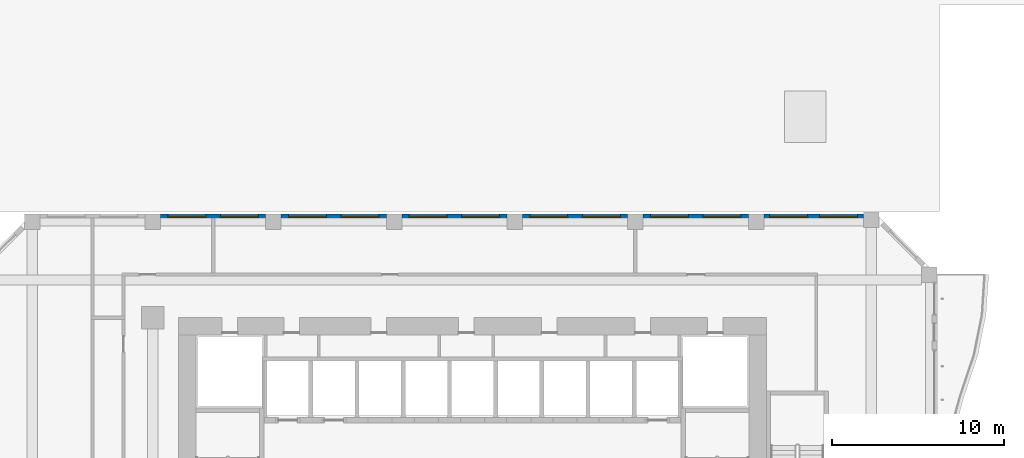
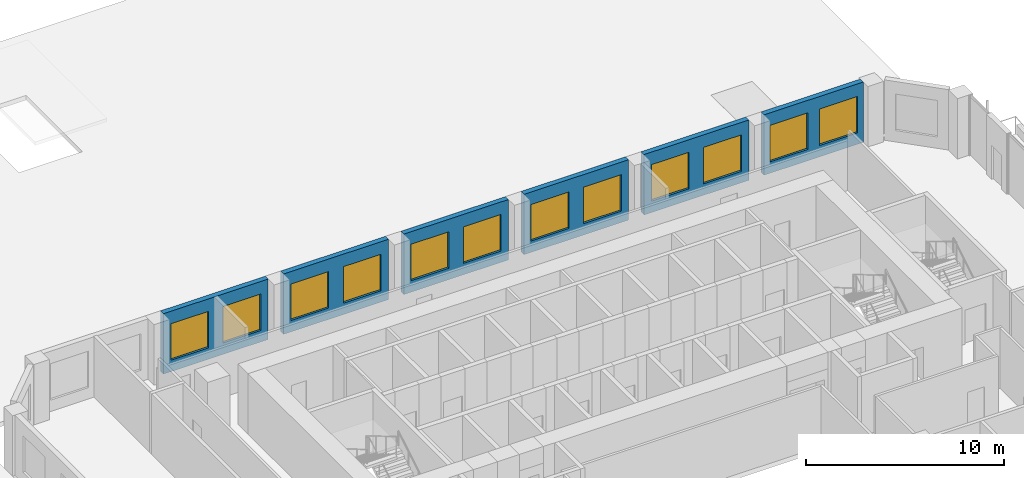
# One storey, part 20 of 29: 12 windows, 6 walls, 12 openings.
"""IFC4 building model written with IfcOpenShell, lengths in metres."""

from ifc_helpers import new_model, si_unit, direction, frame, frame_2d, origin, place, context, subcontext, project, spatial, rectangle, extrude, source, transform, mapped, material, layer, layer_set, type_object, element, fill, save


model = new_model("IFC4")

# Units and contexts
model_context = context("Model", 3, precision=1e-05, world=origin(), true_north=direction((0.0, 1.0)))
body_context = subcontext(model_context, "Body", "Model", "MODEL_VIEW")
ifc_project = project(units=[si_unit("LENGTHUNIT", "METRE"), si_unit("AREAUNIT", "SQUARE_METRE"), si_unit("VOLUMEUNIT", "CUBIC_METRE"), si_unit("PLANEANGLEUNIT", "RADIAN"), si_unit("MASSUNIT", "GRAM", prefix="KILO")], contexts=[model_context])

# Site, building, storey
site_placement = place(None, origin())
site = spatial("IfcSite", under=ifc_project, at=site_placement, CompositionType="ELEMENT")
building_placement = place(site_placement, origin())
building = spatial("IfcBuilding", under=site, at=building_placement, Name="Kilnfold Tower and Market Hall", CompositionType="ELEMENT")
storey_placement = place(building_placement, frame((0.0, 0.0, 27.0)))
storey = spatial("IfcBuildingStorey", under=building, at=storey_placement, Name="L05", CompositionType="ELEMENT", Elevation=27.0)

# Wall, openings, windows
ifc_material_1 = material(Name="Precast concrete C50/60", Category="concrete")
ifc_layer = layer(ifc_material_1, 0.300048828125)
ifc_layer_set = layer_set([ifc_layer], Name="Precast concrete C50/60")
wall_type = type_object("IfcWallType", Name="PRECAST WALL 300", PredefinedType="SOLIDWALL", material=ifc_layer_set)
shared_shape_1 = source(origin(), body_context, "Body", "SweptSolid", [
    extrude(rectangle(XDim=5.78173828125, YDim=0.300048828125, at=frame_2d((2.890869140625, 0.0))), origin(), (0.0, 0.0, 1.0), 3.719970703125),
])
wall_1_placement = place(storey_placement, frame((23.731689453125, 27.85009765625, 0.0), z_axis=(0.0, 0.0, 1.0), x_axis=(-1.0, 0.0, 0.0)))
wall_1 = element("IfcWall", 1, at=wall_1_placement, inside=storey, type_object=wall_type, Name="External wall L05 N", PredefinedType="SOLIDWALL", context=body_context, shape_type="MappedRepresentation", body=[
    mapped(shared_shape_1, transform((0.0, 0.0, 0.0))),
])
opening_1_placement = place(wall_1_placement, frame((0.345458984375, 0.0, 0.699951171875)))
opening_1 = element("IfcOpeningElement", 2, at=opening_1_placement, cuts=wall_1, Name="Opening W1", PredefinedType="OPENING", context=body_context, shape_type="SweptSolid", body=[
    extrude(rectangle(XDim=2.199951171875, YDim=2.25, at=frame_2d((1.10009765625, 1.125))), frame((0.0, 0.16015625, 0.0), z_axis=(0.0, -1.0, 0.0), x_axis=(1.0, 0.0, 0.0)), (0.0, 0.0, 1.0), 0.320068359375),
])
opening_2_placement = place(wall_1_placement, frame((3.236328125, 0.0, 0.699951171875)))
opening_2 = element("IfcOpeningElement", 3, at=opening_2_placement, cuts=wall_1, Name="Opening W1", PredefinedType="OPENING", context=body_context, shape_type="SweptSolid", body=[
    extrude(rectangle(XDim=2.199951171875, YDim=2.25, at=frame_2d((1.10009765625, 1.125))), frame((0.0, 0.16015625, 0.0), z_axis=(0.0, -1.0, 0.0), x_axis=(1.0, 0.0, 0.0)), (0.0, 0.0, 1.0), 0.320068359375),
])
ifc_material_2 = material(Name="Aluminium frame and double glazing", Category="aluminium")
window_type = type_object("IfcWindowType", Name="WINDOW W1 2200X2250", PartitioningType="SINGLE_PANEL", PredefinedType="WINDOW", material=ifc_material_2)
window_1_placement = place(opening_1_placement, origin())
window_1 = element("IfcWindow", 4, at=window_1_placement, inside=storey, type_object=window_type, Name="Window W1 L05 N-1", OverallHeight=2.25, OverallWidth=2.199951171875, PartitioningType="SINGLE_PANEL", PredefinedType="WINDOW", context=body_context, shape_type="SweptSolid", body=[
    extrude(rectangle(XDim=2.199951171875, YDim=2.25, at=frame_2d((1.10009765625, 1.125))), frame((0.0, 0.030029296875, 0.0), z_axis=(0.0, -1.0, 0.0), x_axis=(1.0, 0.0, 0.0)), (0.0, 0.0, 1.0), 0.06005859375),
])
fill(opening_1, window_1)
window_2_placement = place(opening_2_placement, origin())
window_2 = element("IfcWindow", 5, at=window_2_placement, inside=storey, type_object=window_type, Name="Window W1 L05 N-2", OverallHeight=2.25, OverallWidth=2.199951171875, PartitioningType="SINGLE_PANEL", PredefinedType="WINDOW", context=body_context, shape_type="SweptSolid", body=[
    extrude(rectangle(XDim=2.199951171875, YDim=2.25, at=frame_2d((1.10009765625, 1.125))), frame((0.0, 0.030029296875, 0.0), z_axis=(0.0, -1.0, 0.0), x_axis=(1.0, 0.0, 0.0)), (0.0, 0.0, 1.0), 0.06005859375),
])
fill(opening_2, window_2)

shared_shape_2 = source(origin(), body_context, "Body", "SweptSolid", [
    extrude(rectangle(XDim=6.10009765625, YDim=0.300048828125, at=frame_2d((3.050048828125, 0.0))), origin(), (0.0, 0.0, 1.0), 3.719970703125),
])
wall_2_placement = place(storey_placement, frame((17.050048828125, 27.85009765625, 0.0), z_axis=(0.0, 0.0, 1.0), x_axis=(-1.0, 0.0, 0.0)))
wall_2 = element("IfcWall", 6, at=wall_2_placement, inside=storey, type_object=wall_type, Name="External wall L05 N", PredefinedType="SOLIDWALL", context=body_context, shape_type="MappedRepresentation", body=[
    mapped(shared_shape_2, transform((0.0, 0.0, 0.0))),
])
opening_3_placement = place(wall_2_placement, frame((0.425048828125, 0.0, 0.699951171875)))
opening_3 = element("IfcOpeningElement", 7, at=opening_3_placement, cuts=wall_2, Name="Opening W1", PredefinedType="OPENING", context=body_context, shape_type="SweptSolid", body=[
    extrude(rectangle(XDim=2.199951171875, YDim=2.25, at=frame_2d((1.10009765625, 1.125))), frame((0.0, 0.16015625, 0.0), z_axis=(0.0, -1.0, 0.0), x_axis=(1.0, 0.0, 0.0)), (0.0, 0.0, 1.0), 0.320068359375),
])
opening_4_placement = place(wall_2_placement, frame((3.47509765625, 0.0, 0.699951171875)))
opening_4 = element("IfcOpeningElement", 8, at=opening_4_placement, cuts=wall_2, Name="Opening W1", PredefinedType="OPENING", context=body_context, shape_type="SweptSolid", body=[
    extrude(rectangle(XDim=2.199951171875, YDim=2.25, at=frame_2d((1.10009765625, 1.125))), frame((0.0, 0.16015625, 0.0), z_axis=(0.0, -1.0, 0.0), x_axis=(1.0, 0.0, 0.0)), (0.0, 0.0, 1.0), 0.320068359375),
])
window_3_placement = place(opening_3_placement, origin())
window_3 = element("IfcWindow", 9, at=window_3_placement, inside=storey, type_object=window_type, Name="Window W1 L05 N-1", OverallHeight=2.25, OverallWidth=2.199951171875, PartitioningType="SINGLE_PANEL", PredefinedType="WINDOW", context=body_context, shape_type="SweptSolid", body=[
    extrude(rectangle(XDim=2.199951171875, YDim=2.25, at=frame_2d((1.10009765625, 1.125))), frame((0.0, 0.030029296875, 0.0), z_axis=(0.0, -1.0, 0.0), x_axis=(1.0, 0.0, 0.0)), (0.0, 0.0, 1.0), 0.06005859375),
])
fill(opening_3, window_3)
window_4_placement = place(opening_4_placement, origin())
window_4 = element("IfcWindow", 10, at=window_4_placement, inside=storey, type_object=window_type, Name="Window W1 L05 N-2", OverallHeight=2.25, OverallWidth=2.199951171875, PartitioningType="SINGLE_PANEL", PredefinedType="WINDOW", context=body_context, shape_type="SweptSolid", body=[
    extrude(rectangle(XDim=2.199951171875, YDim=2.25, at=frame_2d((1.10009765625, 1.125))), frame((0.0, 0.030029296875, 0.0), z_axis=(0.0, -1.0, 0.0), x_axis=(1.0, 0.0, 0.0)), (0.0, 0.0, 1.0), 0.06005859375),
])
fill(opening_4, window_4)

wall_3_placement = place(storey_placement, frame((10.050048828125, 27.85009765625, 0.0), z_axis=(0.0, 0.0, 1.0), x_axis=(-1.0, 0.0, 0.0)))
wall_3 = element("IfcWall", 11, at=wall_3_placement, inside=storey, type_object=wall_type, Name="External wall L05 N", PredefinedType="SOLIDWALL", context=body_context, shape_type="MappedRepresentation", body=[
    mapped(shared_shape_2, transform((0.0, 0.0, 0.0))),
])
opening_5_placement = place(wall_3_placement, frame((0.425048828125, 0.0, 0.699951171875)))
opening_5 = element("IfcOpeningElement", 12, at=opening_5_placement, cuts=wall_3, Name="Opening W1", PredefinedType="OPENING", context=body_context, shape_type="SweptSolid", body=[
    extrude(rectangle(XDim=2.199951171875, YDim=2.25, at=frame_2d((1.10009765625, 1.125))), frame((0.0, 0.16015625, 0.0), z_axis=(0.0, -1.0, 0.0), x_axis=(1.0, 0.0, 0.0)), (0.0, 0.0, 1.0), 0.320068359375),
])
opening_6_placement = place(wall_3_placement, frame((3.47509765625, 0.0, 0.699951171875)))
opening_6 = element("IfcOpeningElement", 13, at=opening_6_placement, cuts=wall_3, Name="Opening W1", PredefinedType="OPENING", context=body_context, shape_type="SweptSolid", body=[
    extrude(rectangle(XDim=2.199951171875, YDim=2.25, at=frame_2d((1.10009765625, 1.125))), frame((0.0, 0.16015625, 0.0), z_axis=(0.0, -1.0, 0.0), x_axis=(1.0, 0.0, 0.0)), (0.0, 0.0, 1.0), 0.320068359375),
])
window_5_placement = place(opening_5_placement, origin())
window_5 = element("IfcWindow", 14, at=window_5_placement, inside=storey, type_object=window_type, Name="Window W1 L05 N-1", OverallHeight=2.25, OverallWidth=2.199951171875, PartitioningType="SINGLE_PANEL", PredefinedType="WINDOW", context=body_context, shape_type="SweptSolid", body=[
    extrude(rectangle(XDim=2.199951171875, YDim=2.25, at=frame_2d((1.10009765625, 1.125))), frame((0.0, 0.030029296875, 0.0), z_axis=(0.0, -1.0, 0.0), x_axis=(1.0, 0.0, 0.0)), (0.0, 0.0, 1.0), 0.06005859375),
])
fill(opening_5, window_5)
window_6_placement = place(opening_6_placement, origin())
window_6 = element("IfcWindow", 15, at=window_6_placement, inside=storey, type_object=window_type, Name="Window W1 L05 N-2", OverallHeight=2.25, OverallWidth=2.199951171875, PartitioningType="SINGLE_PANEL", PredefinedType="WINDOW", context=body_context, shape_type="SweptSolid", body=[
    extrude(rectangle(XDim=2.199951171875, YDim=2.25, at=frame_2d((1.10009765625, 1.125))), frame((0.0, 0.030029296875, 0.0), z_axis=(0.0, -1.0, 0.0), x_axis=(1.0, 0.0, 0.0)), (0.0, 0.0, 1.0), 0.06005859375),
])
fill(opening_6, window_6)

wall_4_placement = place(storey_placement, frame((3.050048828125, 27.85009765625, 0.0), z_axis=(0.0, 0.0, 1.0), x_axis=(-1.0, 0.0, 0.0)))
wall_4 = element("IfcWall", 16, at=wall_4_placement, inside=storey, type_object=wall_type, Name="External wall L05 N", PredefinedType="SOLIDWALL", context=body_context, shape_type="MappedRepresentation", body=[
    mapped(shared_shape_2, transform((0.0, 0.0, 0.0))),
])
opening_7_placement = place(wall_4_placement, frame((0.425048828125, 0.0, 0.699951171875)))
opening_7 = element("IfcOpeningElement", 17, at=opening_7_placement, cuts=wall_4, Name="Opening W1", PredefinedType="OPENING", context=body_context, shape_type="SweptSolid", body=[
    extrude(rectangle(XDim=2.199951171875, YDim=2.25, at=frame_2d((1.10009765625, 1.125))), frame((0.0, 0.16015625, 0.0), z_axis=(0.0, -1.0, 0.0), x_axis=(1.0, 0.0, 0.0)), (0.0, 0.0, 1.0), 0.320068359375),
])
opening_8_placement = place(wall_4_placement, frame((3.47509765625, 0.0, 0.699951171875)))
opening_8 = element("IfcOpeningElement", 18, at=opening_8_placement, cuts=wall_4, Name="Opening W1", PredefinedType="OPENING", context=body_context, shape_type="SweptSolid", body=[
    extrude(rectangle(XDim=2.199951171875, YDim=2.25, at=frame_2d((1.10009765625, 1.125))), frame((0.0, 0.16015625, 0.0), z_axis=(0.0, -1.0, 0.0), x_axis=(1.0, 0.0, 0.0)), (0.0, 0.0, 1.0), 0.320068359375),
])
window_7_placement = place(opening_7_placement, origin())
window_7 = element("IfcWindow", 19, at=window_7_placement, inside=storey, type_object=window_type, Name="Window W1 L05 N-1", OverallHeight=2.25, OverallWidth=2.199951171875, PartitioningType="SINGLE_PANEL", PredefinedType="WINDOW", context=body_context, shape_type="SweptSolid", body=[
    extrude(rectangle(XDim=2.199951171875, YDim=2.25, at=frame_2d((1.10009765625, 1.125))), frame((0.0, 0.030029296875, 0.0), z_axis=(0.0, -1.0, 0.0), x_axis=(1.0, 0.0, 0.0)), (0.0, 0.0, 1.0), 0.06005859375),
])
fill(opening_7, window_7)
window_8_placement = place(opening_8_placement, origin())
window_8 = element("IfcWindow", 20, at=window_8_placement, inside=storey, type_object=window_type, Name="Window W1 L05 N-2", OverallHeight=2.25, OverallWidth=2.199951171875, PartitioningType="SINGLE_PANEL", PredefinedType="WINDOW", context=body_context, shape_type="SweptSolid", body=[
    extrude(rectangle(XDim=2.199951171875, YDim=2.25, at=frame_2d((1.10009765625, 1.125))), frame((0.0, 0.030029296875, 0.0), z_axis=(0.0, -1.0, 0.0), x_axis=(1.0, 0.0, 0.0)), (0.0, 0.0, 1.0), 0.06005859375),
])
fill(opening_8, window_8)

wall_5_placement = place(storey_placement, frame((-3.949951171875, 27.85009765625, 0.0), z_axis=(0.0, 0.0, 1.0), x_axis=(-1.0, 0.0, 0.0)))
wall_5 = element("IfcWall", 21, at=wall_5_placement, inside=storey, type_object=wall_type, Name="External wall L05 N", PredefinedType="SOLIDWALL", context=body_context, shape_type="MappedRepresentation", body=[
    mapped(shared_shape_2, transform((0.0, 0.0, 0.0))),
])
opening_9_placement = place(wall_5_placement, frame((0.425048828125, 0.0, 0.699951171875)))
opening_9 = element("IfcOpeningElement", 22, at=opening_9_placement, cuts=wall_5, Name="Opening W1", PredefinedType="OPENING", context=body_context, shape_type="SweptSolid", body=[
    extrude(rectangle(XDim=2.199951171875, YDim=2.25, at=frame_2d((1.10009765625, 1.125))), frame((0.0, 0.16015625, 0.0), z_axis=(0.0, -1.0, 0.0), x_axis=(1.0, 0.0, 0.0)), (0.0, 0.0, 1.0), 0.320068359375),
])
opening_10_placement = place(wall_5_placement, frame((3.47509765625, 0.0, 0.699951171875)))
opening_10 = element("IfcOpeningElement", 23, at=opening_10_placement, cuts=wall_5, Name="Opening W1", PredefinedType="OPENING", context=body_context, shape_type="SweptSolid", body=[
    extrude(rectangle(XDim=2.199951171875, YDim=2.25, at=frame_2d((1.10009765625, 1.125))), frame((0.0, 0.16015625, 0.0), z_axis=(0.0, -1.0, 0.0), x_axis=(1.0, 0.0, 0.0)), (0.0, 0.0, 1.0), 0.320068359375),
])
window_9_placement = place(opening_9_placement, origin())
window_9 = element("IfcWindow", 24, at=window_9_placement, inside=storey, type_object=window_type, Name="Window W1 L05 N-1", OverallHeight=2.25, OverallWidth=2.199951171875, PartitioningType="SINGLE_PANEL", PredefinedType="WINDOW", context=body_context, shape_type="SweptSolid", body=[
    extrude(rectangle(XDim=2.199951171875, YDim=2.25, at=frame_2d((1.10009765625, 1.125))), frame((0.0, 0.030029296875, 0.0), z_axis=(0.0, -1.0, 0.0), x_axis=(1.0, 0.0, 0.0)), (0.0, 0.0, 1.0), 0.06005859375),
])
fill(opening_9, window_9)
window_10_placement = place(opening_10_placement, origin())
window_10 = element("IfcWindow", 25, at=window_10_placement, inside=storey, type_object=window_type, Name="Window W1 L05 N-2", OverallHeight=2.25, OverallWidth=2.199951171875, PartitioningType="SINGLE_PANEL", PredefinedType="WINDOW", context=body_context, shape_type="SweptSolid", body=[
    extrude(rectangle(XDim=2.199951171875, YDim=2.25, at=frame_2d((1.10009765625, 1.125))), frame((0.0, 0.030029296875, 0.0), z_axis=(0.0, -1.0, 0.0), x_axis=(1.0, 0.0, 0.0)), (0.0, 0.0, 1.0), 0.06005859375),
])
fill(opening_10, window_10)

wall_6_placement = place(storey_placement, frame((-10.949951171875, 27.85009765625, 0.0), z_axis=(0.0, 0.0, 1.0), x_axis=(-1.0, 0.0, 0.0)))
wall_6 = element("IfcWall", 26, at=wall_6_placement, inside=storey, type_object=wall_type, Name="External wall L05 N", PredefinedType="SOLIDWALL", context=body_context, shape_type="MappedRepresentation", body=[
    mapped(shared_shape_2, transform((0.0, 0.0, 0.0))),
])
opening_11_placement = place(wall_6_placement, frame((0.425048828125, 0.0, 0.699951171875)))
opening_11 = element("IfcOpeningElement", 27, at=opening_11_placement, cuts=wall_6, Name="Opening W1", PredefinedType="OPENING", context=body_context, shape_type="SweptSolid", body=[
    extrude(rectangle(XDim=2.199951171875, YDim=2.25, at=frame_2d((1.10009765625, 1.125))), frame((0.0, 0.16015625, 0.0), z_axis=(0.0, -1.0, 0.0), x_axis=(1.0, 0.0, 0.0)), (0.0, 0.0, 1.0), 0.320068359375),
])
opening_12_placement = place(wall_6_placement, frame((3.47509765625, 0.0, 0.699951171875)))
opening_12 = element("IfcOpeningElement", 28, at=opening_12_placement, cuts=wall_6, Name="Opening W1", PredefinedType="OPENING", context=body_context, shape_type="SweptSolid", body=[
    extrude(rectangle(XDim=2.199951171875, YDim=2.25, at=frame_2d((1.10009765625, 1.125))), frame((0.0, 0.16015625, 0.0), z_axis=(0.0, -1.0, 0.0), x_axis=(1.0, 0.0, 0.0)), (0.0, 0.0, 1.0), 0.320068359375),
])
window_11_placement = place(opening_11_placement, origin())
window_11 = element("IfcWindow", 29, at=window_11_placement, inside=storey, type_object=window_type, Name="Window W1 L05 N-1", OverallHeight=2.25, OverallWidth=2.199951171875, PartitioningType="SINGLE_PANEL", PredefinedType="WINDOW", context=body_context, shape_type="SweptSolid", body=[
    extrude(rectangle(XDim=2.199951171875, YDim=2.25, at=frame_2d((1.10009765625, 1.125))), frame((0.0, 0.030029296875, 0.0), z_axis=(0.0, -1.0, 0.0), x_axis=(1.0, 0.0, 0.0)), (0.0, 0.0, 1.0), 0.06005859375),
])
fill(opening_11, window_11)
window_12_placement = place(opening_12_placement, origin())
window_12 = element("IfcWindow", 30, at=window_12_placement, inside=storey, type_object=window_type, Name="Window W1 L05 N-2", OverallHeight=2.25, OverallWidth=2.199951171875, PartitioningType="SINGLE_PANEL", PredefinedType="WINDOW", context=body_context, shape_type="SweptSolid", body=[
    extrude(rectangle(XDim=2.199951171875, YDim=2.25, at=frame_2d((1.10009765625, 1.125))), frame((0.0, 0.030029296875, 0.0), z_axis=(0.0, -1.0, 0.0), x_axis=(1.0, 0.0, 0.0)), (0.0, 0.0, 1.0), 0.06005859375),
])
fill(opening_12, window_12)

save(model, "model.ifc")
